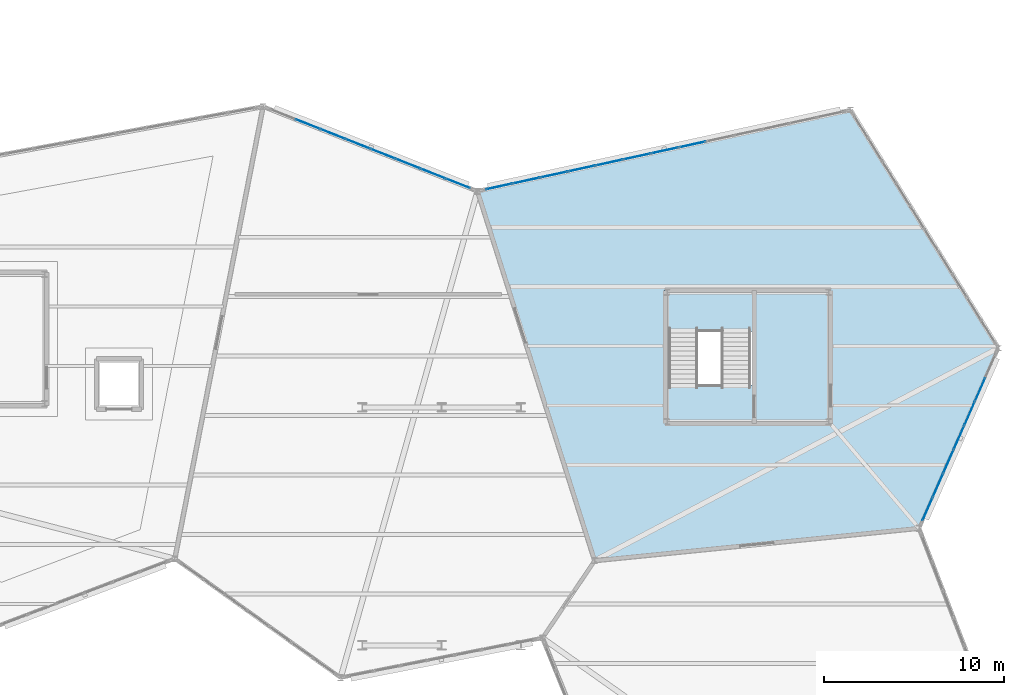
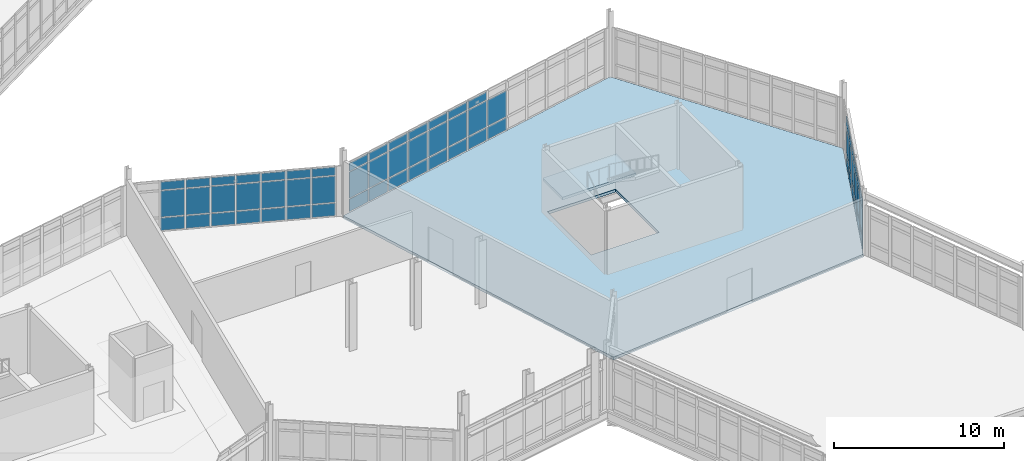
# One storey, part 98 of 134: 62 plates, 2 slabs, 4 elements without a shape of their own.
"""IFC4 building model written with IfcOpenShell, lengths in metres."""

import ifcopenshell
import ifcopenshell.guid

model = None  # the IFC model being written
_history = None  # IfcOwnerHistory: only IFC2X3 demands one
_inside = {}  # id of a spatial element -> (the spatial element, [elements in it])
_under = {}  # id of a project, library or spatial element -> (it, [spatial elements below it])
_declared = {}  # id of a project -> (the project, [libraries it declares])
_typed = {}  # id of a type object -> (the type object, [elements of that type])
_made_of = {}  # id of a material, layer set ... -> (it, [elements and type objects made of it])


def new_model(schema):
    """Start an empty IFC model of exactly this schema.

    Asked for "IFC4X3", IfcOpenShell would pick the latest addendum, in which some entities
    have other attributes; the version numbers below select the first issue.
    IFC2X3 requires an IfcOwnerHistory on every rooted entity: one is made here for all.
    """
    global model, _history
    if schema == "IFC4X3":
        model = ifcopenshell.file(schema_version=(4, 3, 0, 0))
    else:
        model = ifcopenshell.file(schema=schema)
    _inside.clear()
    _under.clear()
    _declared.clear()
    _typed.clear()
    _made_of.clear()
    _history = None
    if model.schema == "IFC2X3":
        org = make("IfcOrganization", Name="unknown")
        user = make(
            "IfcPersonAndOrganization",
            ThePerson=make("IfcPerson", FamilyName="unknown"),
            TheOrganization=org,
        )
        app = make(
            "IfcApplication",
            ApplicationDeveloper=org,
            Version="unknown",
            ApplicationFullName="unknown",
            ApplicationIdentifier="unknown",
        )
        _history = make(
            "IfcOwnerHistory",
            OwningUser=user,
            OwningApplication=app,
            ChangeAction="ADDED",
            CreationDate=0,
        )
    return model


def make(cls, **values):
    """One entity of the class cls with the attributes given. An attribute that is None is left unset."""
    return model.create_entity(
        cls, **{name: value for name, value in values.items() if value is not None}
    )


def rooted(cls, **values):
    """An entity with a GlobalId (a new one), such as an element, a storey or a relation."""
    return make(cls, GlobalId=ifcopenshell.guid.new(), OwnerHistory=_history, **values)


def si_unit(unit_type, name, prefix=None):
    """IfcSIUnit, for example si_unit("LENGTHUNIT", "METRE", prefix="MILLI")."""
    return make("IfcSIUnit", UnitType=unit_type, Prefix=prefix, Name=name)


def assignment(units):
    """IfcUnitAssignment: the units of a project."""
    return None if units is None else make("IfcUnitAssignment", Units=units)


def point(xyz):
    """IfcCartesianPoint."""
    return None if xyz is None else make("IfcCartesianPoint", Coordinates=xyz)


def direction(xyz):
    """IfcDirection."""
    return None if xyz is None else make("IfcDirection", DirectionRatios=xyz)


def frame(location, z_axis=None, x_axis=None):
    """IfcAxis2Placement3D, a coordinate frame: its origin and axes. An axis left out is left unset."""
    return make(
        "IfcAxis2Placement3D",
        Location=point(location),
        Axis=direction(z_axis),
        RefDirection=direction(x_axis),
    )


def frame_2d(location, x_axis=None):
    """IfcAxis2Placement2D, a coordinate frame in the plane: its origin and x axis."""
    return make(
        "IfcAxis2Placement2D", Location=point(location), RefDirection=direction(x_axis)
    )


def origin():
    """The frame at (0, 0, 0) with its axes left unset."""
    return frame((0.0, 0.0, 0.0))


def origin_2d():
    """The frame at (0, 0) in the plane with its x axis left unset."""
    return frame_2d((0.0, 0.0))


def place(relative_to, where):
    """IfcLocalPlacement: puts the frame where relative to a parent placement (None: the world)."""
    return make(
        "IfcLocalPlacement", PlacementRelTo=relative_to, RelativePlacement=where
    )


def context(
    kind, dimensions, precision=None, world=None, true_north=None, identifier=None
):
    """IfcGeometricRepresentationContext, for example the 3D "Model" context."""
    return make(
        "IfcGeometricRepresentationContext",
        ContextIdentifier=identifier,
        ContextType=kind,
        CoordinateSpaceDimension=dimensions,
        Precision=precision,
        WorldCoordinateSystem=world,
        TrueNorth=true_north,
    )


def subcontext(parent, identifier, kind, view, scale=None):
    """IfcGeometricRepresentationSubContext, for example "Body" below "Model"."""
    return make(
        "IfcGeometricRepresentationSubContext",
        ContextIdentifier=identifier,
        ContextType=kind,
        ParentContext=parent,
        TargetScale=scale,
        TargetView=view,
    )


def project(units=None, contexts=None):
    """IfcProject with its units and contexts."""
    return rooted(
        "IfcProject",
        Name="project",
        RepresentationContexts=contexts,
        UnitsInContext=assignment(units),
    )


def spatial(cls, under=None, at=None, **own):
    """A site, building, storey or space (cls), placed at a placement, below another one or the project."""
    s = rooted(cls, ObjectPlacement=at, **own)
    if under is not None:
        _under.setdefault(under.id(), (under, []))[1].append(s)
    return s


def polyline(points):
    """IfcPolyline through the points."""
    return make("IfcPolyline", Points=[point(p) for p in points])


def profile(cls, at=None, kind="AREA", **sizes):
    """A parametric profile (cls). Its sizes go by their IFC names, for example OverallWidth=200.0."""
    return make(cls, ProfileType=kind, Position=at, **sizes)


def rectangle(**sizes):
    """IfcRectangleProfileDef."""
    return profile("IfcRectangleProfileDef", **sizes)


def outline(outer, holes=None, kind="AREA"):
    """IfcArbitraryClosedProfileDef: a profile drawn as a closed curve; with holes, ...WithVoids."""
    if holes is None:
        return make("IfcArbitraryClosedProfileDef", ProfileType=kind, OuterCurve=outer)
    return make(
        "IfcArbitraryProfileDefWithVoids",
        ProfileType=kind,
        OuterCurve=outer,
        InnerCurves=holes,
    )


def extrude(swept, where, along, depth):
    """IfcExtrudedAreaSolid: the profile swept, set in the frame where, extruded along a direction by depth."""
    return make(
        "IfcExtrudedAreaSolid",
        SweptArea=swept,
        Position=where,
        ExtrudedDirection=direction(along),
        Depth=depth,
    )


def shape(context_of_items, identifier, shape_type, items):
    """IfcShapeRepresentation: the items that make up one representation, for example the "Body"."""
    return make(
        "IfcShapeRepresentation",
        ContextOfItems=context_of_items,
        RepresentationIdentifier=identifier,
        RepresentationType=shape_type,
        Items=items,
    )


def material(Name=None, Category=None):
    """IfcMaterial."""
    return make("IfcMaterial", Name=Name, Category=Category)


def layer(
    of_material, thickness, ventilated=None, Name=None, Category=None, Priority=None
):
    """IfcMaterialLayer: one layer of a wall or slab, of a material (None: an air gap)."""
    return make(
        "IfcMaterialLayer",
        Material=of_material,
        LayerThickness=thickness,
        IsVentilated=ventilated,
        Name=Name,
        Category=Category,
        Priority=Priority,
    )


def layer_set(layers, Name=None):
    """IfcMaterialLayerSet."""
    return make("IfcMaterialLayerSet", MaterialLayers=layers, LayerSetName=Name)


def made_of(thing, what):
    """Note that an element or type object is made of a material, layer set ...; save() writes the relation."""
    if what is not None:
        _made_of.setdefault(what.id(), (what, []))[1].append(thing)
    return thing


def type_object(cls, material=None, **own):
    """A type object (cls), such as IfcWallType, which elements share."""
    return made_of(rooted(cls, **own), material)


def element(
    cls,
    number,
    at=None,
    inside=None,
    cuts=None,
    type_object=None,
    material=None,
    context=None,
    identifier="Body",
    shape_type=None,
    held_by="IfcProductDefinitionShape",
    body=None,
    shapes=None,
    **own,
):
    """One element of the class cls, such as IfcWall. Its Tag is "e" and its number.

    at: its placement. inside: the storey or other place that contains it. cuts: it is an
    opening in that element (IfcRelVoidsElement). A single representation is given by context,
    identifier, shape_type and body (its items); several are given by shapes. held_by: the class
    of the entity that holds the representations. save() writes the other relations.
    """
    e = rooted(cls, Tag="e%d" % number, ObjectPlacement=at, **own)
    if body is not None:
        shapes = [shape(context, identifier, shape_type, body)]
    if shapes is not None:
        e.Representation = make(held_by, Representations=shapes)
    if inside is not None:
        _inside.setdefault(inside.id(), (inside, []))[1].append(e)
    if cuts is not None:
        rooted(
            "IfcRelVoidsElement", RelatingBuildingElement=cuts, RelatedOpeningElement=e
        )
    if type_object is not None:
        _typed.setdefault(type_object.id(), (type_object, []))[1].append(e)
    return made_of(e, material)


def aggregate(whole, parts):
    """IfcRelAggregates: a whole, such as a stair, and the parts it consists of."""
    return rooted("IfcRelAggregates", RelatingObject=whole, RelatedObjects=parts)


def save(model, path):
    """Write the relations noted so far, then the file.

    IfcRelAggregates (storeys below a building ...), IfcRelContainedInSpatialStructure (elements
    in a storey), IfcRelDefinesByType, IfcRelAssociatesMaterial and IfcRelDeclares: one each for
    every whole, place, type object, material and project.
    """
    for whole, parts in _under.values():
        aggregate(whole, parts)
    for where, things in _inside.values():
        rooted(
            "IfcRelContainedInSpatialStructure",
            RelatedElements=things,
            RelatingStructure=where,
        )
    for kind, things in _typed.values():
        rooted("IfcRelDefinesByType", RelatedObjects=things, RelatingType=kind)
    for what, things in _made_of.values():
        rooted("IfcRelAssociatesMaterial", RelatedObjects=things, RelatingMaterial=what)
    for by, libraries in _declared.values():
        rooted("IfcRelDeclares", RelatingContext=by, RelatedDefinitions=libraries)
    model.write(path)


model = new_model("IFC4")

# Units and contexts
model_context = context("Model", 3, precision=1e-05, world=origin(), true_north=direction((0.0, 1.0)))
body_context = subcontext(model_context, "Body", "Model", "MODEL_VIEW")
ifc_project = project(units=[si_unit("LENGTHUNIT", "METRE"), si_unit("AREAUNIT", "SQUARE_METRE"), si_unit("VOLUMEUNIT", "CUBIC_METRE"), si_unit("PLANEANGLEUNIT", "RADIAN"), si_unit("MASSUNIT", "GRAM", prefix="KILO")], contexts=[model_context])

# Site, building, storey
site_placement = place(None, origin())
site = spatial("IfcSite", under=ifc_project, at=site_placement, CompositionType="ELEMENT")
building_placement = place(site_placement, origin())
building = spatial("IfcBuilding", under=site, at=building_placement, Name="Tameran Prism Museum", CompositionType="ELEMENT")
storey_placement = place(building_placement, frame((0.0, 0.0, 5.39990234375)))
storey = spatial("IfcBuildingStorey", under=building, at=storey_placement, Name="L01", CompositionType="ELEMENT", Elevation=5.39990234375)

# Curtain wall, plates
ifc_material_1 = material(Name="Anodised Aluminium 6063-T6 and Cyclone Solar Glass", Category="aluminium")
curtain_wall_type_1 = type_object("IfcCurtainWallType", Name="CW-FAC-1016x362", PredefinedType="USERDEFINED", material=ifc_material_1)
curtain_wall_1_placement = place(storey_placement, origin())
curtain_wall_1 = element("IfcCurtainWall", 1, at=curtain_wall_1_placement, inside=storey, type_object=curtain_wall_type_1, Name="Unitised Curtain Wall CW-095", ObjectType="UNITISED CURTAIN WALL", PredefinedType="USERDEFINED")
ifc_material_2 = material(Name="Low-E Laminated Solar Glass", Category="glass")
ifc_layer_1 = layer(ifc_material_2, 0.028076171875)
ifc_layer_set_1 = layer_set([ifc_layer_1])
plate_type_1 = type_object("IfcPlateType", Name="CW-PNL-G28", PredefinedType="CURTAIN_PANEL", material=ifc_layer_set_1)
plate_1_placement = place(storey_placement, frame((165.3818359375, 31.68603515625, 0.06494140625), z_axis=(0.0, 0.0, 1.0), x_axis=(-0.402722131488, -0.915322284668, 0.0)))
plate_1 = element("IfcPlate", 2, at=plate_1_placement, type_object=plate_type_1, Name="CW-095 panel 2.1", PredefinedType="CURTAIN_PANEL", context=body_context, shape_type="SweptSolid", body=[
    extrude(rectangle(XDim=1.38720703125, YDim=0.028076171875, at=origin_2d()), origin(), (0.0, 0.0, 1.0), 0.902587890625),
])
plate_2_placement = place(storey_placement, frame((165.3818359375, 31.68603515625, 1.03271484375), z_axis=(0.0, 0.0, 1.0), x_axis=(-0.402722131488, -0.915322284668, 0.0)))
plate_2 = element("IfcPlate", 3, at=plate_2_placement, type_object=plate_type_1, Name="CW-095 panel 2.2", PredefinedType="CURTAIN_PANEL", context=body_context, shape_type="SweptSolid", body=[
    extrude(rectangle(XDim=1.38720703125, YDim=0.028076171875, at=origin_2d()), origin(), (0.0, 0.0, 1.0), 1.875),
])
plate_3_placement = place(storey_placement, frame((165.3818359375, 31.68603515625, 2.97265625), z_axis=(0.0, 0.0, 1.0), x_axis=(-0.402722131488, -0.915322284668, 0.0)))
plate_3 = element("IfcPlate", 4, at=plate_3_placement, type_object=plate_type_1, Name="CW-095 panel 2.3", PredefinedType="CURTAIN_PANEL", context=body_context, shape_type="SweptSolid", body=[
    extrude(rectangle(XDim=1.38720703125, YDim=0.028076171875, at=origin_2d()), origin(), (0.0, 0.0, 1.0), 0.58251953125),
])
plate_4_placement = place(storey_placement, frame((164.796875, 30.356689453125, 0.06494140625), z_axis=(0.0, 0.0, 1.0), x_axis=(-0.402722131488, -0.915322284668, 0.0)))
plate_4 = element("IfcPlate", 5, at=plate_4_placement, type_object=plate_type_1, Name="CW-095 panel 3.1", PredefinedType="CURTAIN_PANEL", context=body_context, shape_type="SweptSolid", body=[
    extrude(rectangle(XDim=1.38720703125, YDim=0.028076171875, at=origin_2d()), origin(), (0.0, 0.0, 1.0), 0.902587890625),
])
plate_5_placement = place(storey_placement, frame((164.796875, 30.356689453125, 1.03271484375), z_axis=(0.0, 0.0, 1.0), x_axis=(-0.402722131488, -0.915322284668, 0.0)))
plate_5 = element("IfcPlate", 6, at=plate_5_placement, type_object=plate_type_1, Name="CW-095 panel 3.2", PredefinedType="CURTAIN_PANEL", context=body_context, shape_type="SweptSolid", body=[
    extrude(rectangle(XDim=1.38720703125, YDim=0.028076171875, at=origin_2d()), origin(), (0.0, 0.0, 1.0), 1.875),
])
plate_6_placement = place(storey_placement, frame((164.796875, 30.356689453125, 2.97265625), z_axis=(0.0, 0.0, 1.0), x_axis=(-0.402722131488, -0.915322284668, 0.0)))
plate_6 = element("IfcPlate", 7, at=plate_6_placement, type_object=plate_type_1, Name="CW-095 panel 3.3", PredefinedType="CURTAIN_PANEL", context=body_context, shape_type="SweptSolid", body=[
    extrude(rectangle(XDim=1.38720703125, YDim=0.028076171875, at=origin_2d()), origin(), (0.0, 0.0, 1.0), 0.58251953125),
])
plate_7_placement = place(storey_placement, frame((164.2119140625, 29.027587890625, 0.06494140625), z_axis=(0.0, 0.0, 1.0), x_axis=(-0.402722131488, -0.915322284668, 0.0)))
plate_7 = element("IfcPlate", 8, at=plate_7_placement, type_object=plate_type_1, Name="CW-095 panel 4.1", PredefinedType="CURTAIN_PANEL", context=body_context, shape_type="SweptSolid", body=[
    extrude(rectangle(XDim=1.38720703125, YDim=0.028076171875, at=origin_2d()), origin(), (0.0, 0.0, 1.0), 0.902587890625),
])
plate_8_placement = place(storey_placement, frame((164.2119140625, 29.027587890625, 1.03271484375), z_axis=(0.0, 0.0, 1.0), x_axis=(-0.402722131488, -0.915322284668, 0.0)))
plate_8 = element("IfcPlate", 9, at=plate_8_placement, type_object=plate_type_1, Name="CW-095 panel 4.2", PredefinedType="CURTAIN_PANEL", context=body_context, shape_type="SweptSolid", body=[
    extrude(rectangle(XDim=1.38720703125, YDim=0.028076171875, at=origin_2d()), origin(), (0.0, 0.0, 1.0), 1.875),
])
plate_9_placement = place(storey_placement, frame((164.2119140625, 29.027587890625, 2.97265625), z_axis=(0.0, 0.0, 1.0), x_axis=(-0.402722131488, -0.915322284668, 0.0)))
plate_9 = element("IfcPlate", 10, at=plate_9_placement, type_object=plate_type_1, Name="CW-095 panel 4.3", PredefinedType="CURTAIN_PANEL", context=body_context, shape_type="SweptSolid", body=[
    extrude(rectangle(XDim=1.38720703125, YDim=0.028076171875, at=origin_2d()), origin(), (0.0, 0.0, 1.0), 0.58251953125),
])
plate_10_placement = place(storey_placement, frame((163.627197265625, 27.6982421875, 0.06494140625), z_axis=(0.0, 0.0, 1.0), x_axis=(-0.402722131488, -0.915322284668, 0.0)))
plate_10 = element("IfcPlate", 11, at=plate_10_placement, type_object=plate_type_1, Name="CW-095 panel 5.1", PredefinedType="CURTAIN_PANEL", context=body_context, shape_type="SweptSolid", body=[
    extrude(rectangle(XDim=1.38720703125, YDim=0.028076171875, at=origin_2d()), origin(), (0.0, 0.0, 1.0), 0.902587890625),
])
plate_11_placement = place(storey_placement, frame((163.627197265625, 27.6982421875, 1.03271484375), z_axis=(0.0, 0.0, 1.0), x_axis=(-0.402722131488, -0.915322284668, 0.0)))
plate_11 = element("IfcPlate", 12, at=plate_11_placement, type_object=plate_type_1, Name="CW-095 panel 5.2", PredefinedType="CURTAIN_PANEL", context=body_context, shape_type="SweptSolid", body=[
    extrude(rectangle(XDim=1.38720703125, YDim=0.028076171875, at=origin_2d()), origin(), (0.0, 0.0, 1.0), 1.875),
])
plate_12_placement = place(storey_placement, frame((163.627197265625, 27.6982421875, 2.97265625), z_axis=(0.0, 0.0, 1.0), x_axis=(-0.402722131488, -0.915322284668, 0.0)))
plate_12 = element("IfcPlate", 13, at=plate_12_placement, type_object=plate_type_1, Name="CW-095 panel 5.3", PredefinedType="CURTAIN_PANEL", context=body_context, shape_type="SweptSolid", body=[
    extrude(rectangle(XDim=1.38720703125, YDim=0.028076171875, at=origin_2d()), origin(), (0.0, 0.0, 1.0), 0.58251953125),
])
plate_13_placement = place(storey_placement, frame((163.042236328125, 26.368896484375, 0.06494140625), z_axis=(0.0, 0.0, 1.0), x_axis=(-0.402722131488, -0.915322284668, 0.0)))
plate_13 = element("IfcPlate", 14, at=plate_13_placement, type_object=plate_type_1, Name="CW-095 panel 6.1", PredefinedType="CURTAIN_PANEL", context=body_context, shape_type="SweptSolid", body=[
    extrude(rectangle(XDim=1.38720703125, YDim=0.028076171875, at=origin_2d()), origin(), (0.0, 0.0, 1.0), 0.902587890625),
])
plate_14_placement = place(storey_placement, frame((163.042236328125, 26.368896484375, 1.03271484375), z_axis=(0.0, 0.0, 1.0), x_axis=(-0.402722131488, -0.915322284668, 0.0)))
plate_14 = element("IfcPlate", 15, at=plate_14_placement, type_object=plate_type_1, Name="CW-095 panel 6.2", PredefinedType="CURTAIN_PANEL", context=body_context, shape_type="SweptSolid", body=[
    extrude(rectangle(XDim=1.38720703125, YDim=0.028076171875, at=origin_2d()), origin(), (0.0, 0.0, 1.0), 1.875),
])
plate_15_placement = place(storey_placement, frame((163.042236328125, 26.368896484375, 2.97265625), z_axis=(0.0, 0.0, 1.0), x_axis=(-0.402722131488, -0.915322284668, 0.0)))
plate_15 = element("IfcPlate", 16, at=plate_15_placement, type_object=plate_type_1, Name="CW-095 panel 6.3", PredefinedType="CURTAIN_PANEL", context=body_context, shape_type="SweptSolid", body=[
    extrude(rectangle(XDim=1.38720703125, YDim=0.028076171875, at=origin_2d()), origin(), (0.0, 0.0, 1.0), 0.58251953125),
])
plate_16_placement = place(storey_placement, frame((162.4638671875, 25.054443359375, 0.06494140625), z_axis=(0.0, 0.0, 1.0), x_axis=(-0.402722131488, -0.915322284668, 0.0)))
plate_16 = element("IfcPlate", 17, at=plate_16_placement, type_object=plate_type_1, Name="CW-095 panel 7.1", PredefinedType="CURTAIN_PANEL", context=body_context, shape_type="SweptSolid", body=[
    extrude(rectangle(XDim=1.354736328125, YDim=0.028076171875, at=origin_2d()), origin(), (0.0, 0.0, 1.0), 0.902587890625),
])
plate_17_placement = place(storey_placement, frame((162.4638671875, 25.054443359375, 1.03271484375), z_axis=(0.0, 0.0, 1.0), x_axis=(-0.402722131488, -0.915322284668, 0.0)))
plate_17 = element("IfcPlate", 18, at=plate_17_placement, type_object=plate_type_1, Name="CW-095 panel 7.2", PredefinedType="CURTAIN_PANEL", context=body_context, shape_type="SweptSolid", body=[
    extrude(rectangle(XDim=1.354736328125, YDim=0.028076171875, at=origin_2d()), origin(), (0.0, 0.0, 1.0), 1.875),
])
plate_18_placement = place(storey_placement, frame((162.4638671875, 25.054443359375, 2.97265625), z_axis=(0.0, 0.0, 1.0), x_axis=(-0.402722131488, -0.915322284668, 0.0)))
plate_18 = element("IfcPlate", 19, at=plate_18_placement, type_object=plate_type_1, Name="CW-095 panel 7.3", PredefinedType="CURTAIN_PANEL", context=body_context, shape_type="SweptSolid", body=[
    extrude(rectangle(XDim=1.354736328125, YDim=0.028076171875, at=origin_2d()), origin(), (0.0, 0.0, 1.0), 0.58251953125),
])
aggregate(curtain_wall_1, [plate_1, plate_2, plate_3, plate_4, plate_5, plate_6, plate_7, plate_8, plate_9, plate_10, plate_11, plate_12, plate_13, plate_14, plate_15, plate_16, plate_17, plate_18])

ifc_material_3 = material(Name="Anodised Aluminium 6063-T6 and Cyclone Solar Glass", Category="aluminium")
curtain_wall_type_2 = type_object("IfcCurtainWallType", Name="CW-FAC-1197x362", PredefinedType="USERDEFINED", material=ifc_material_3)
curtain_wall_2_placement = place(storey_placement, origin())
curtain_wall_2 = element("IfcCurtainWall", 20, at=curtain_wall_2_placement, inside=storey, type_object=curtain_wall_type_2, Name="Unitised Curtain Wall CW-075", ObjectType="UNITISED CURTAIN WALL", PredefinedType="USERDEFINED")
ifc_material_4 = material(Name="Cyclone Laminated Solar Glass", Category="glass")
ifc_layer_2 = layer(ifc_material_4, 0.031982421875)
ifc_layer_set_2 = layer_set([ifc_layer_2])
plate_type_2 = type_object("IfcPlateType", Name="CW-PNL-G32", PredefinedType="CURTAIN_PANEL", material=ifc_layer_set_2)
plate_19_placement = place(storey_placement, frame((128.07080078125, 46.42431640625, 0.06494140625), z_axis=(0.0, 0.0, 1.0), x_axis=(0.930080883146, -0.367354802346, 0.0)))
plate_19 = element("IfcPlate", 21, at=plate_19_placement, type_object=plate_type_2, Name="CW-075 panel 2.1", PredefinedType="CURTAIN_PANEL", context=body_context, shape_type="SweptSolid", body=[
    extrude(rectangle(XDim=1.431396484375, YDim=0.031982421875, at=origin_2d()), origin(), (0.0, 0.0, 1.0), 0.902587890625),
])
plate_20_placement = place(storey_placement, frame((128.07080078125, 46.42431640625, 1.03271484375), z_axis=(0.0, 0.0, 1.0), x_axis=(0.930080883146, -0.367354802346, 0.0)))
plate_20 = element("IfcPlate", 22, at=plate_20_placement, type_object=plate_type_2, Name="CW-075 panel 2.2", PredefinedType="CURTAIN_PANEL", context=body_context, shape_type="SweptSolid", body=[
    extrude(rectangle(XDim=1.431396484375, YDim=0.031982421875, at=origin_2d()), origin(), (0.0, 0.0, 1.0), 1.875),
])
plate_21_placement = place(storey_placement, frame((128.07080078125, 46.42431640625, 2.97265625), z_axis=(0.0, 0.0, 1.0), x_axis=(0.930080883146, -0.367354802346, 0.0)))
plate_21 = element("IfcPlate", 23, at=plate_21_placement, type_object=plate_type_2, Name="CW-075 panel 2.3", PredefinedType="CURTAIN_PANEL", context=body_context, shape_type="SweptSolid", body=[
    extrude(rectangle(XDim=1.431396484375, YDim=0.031982421875, at=origin_2d()), origin(), (0.0, 0.0, 1.0), 0.58251953125),
])
plate_22_placement = place(storey_placement, frame((129.462646484375, 45.87451171875, 0.06494140625), z_axis=(0.0, 0.0, 1.0), x_axis=(0.930080883146, -0.367354802346, 0.0)))
plate_22 = element("IfcPlate", 24, at=plate_22_placement, type_object=plate_type_2, Name="CW-075 panel 3.1", PredefinedType="CURTAIN_PANEL", context=body_context, shape_type="SweptSolid", body=[
    extrude(rectangle(XDim=1.431396484375, YDim=0.031982421875, at=origin_2d()), origin(), (0.0, 0.0, 1.0), 0.902587890625),
])
plate_23_placement = place(storey_placement, frame((129.462646484375, 45.87451171875, 1.03271484375), z_axis=(0.0, 0.0, 1.0), x_axis=(0.930080883146, -0.367354802346, 0.0)))
plate_23 = element("IfcPlate", 25, at=plate_23_placement, type_object=plate_type_2, Name="CW-075 panel 3.2", PredefinedType="CURTAIN_PANEL", context=body_context, shape_type="SweptSolid", body=[
    extrude(rectangle(XDim=1.431396484375, YDim=0.031982421875, at=origin_2d()), origin(), (0.0, 0.0, 1.0), 1.875),
])
plate_24_placement = place(storey_placement, frame((129.462646484375, 45.87451171875, 2.97265625), z_axis=(0.0, 0.0, 1.0), x_axis=(0.930080883146, -0.367354802346, 0.0)))
plate_24 = element("IfcPlate", 26, at=plate_24_placement, type_object=plate_type_2, Name="CW-075 panel 3.3", PredefinedType="CURTAIN_PANEL", context=body_context, shape_type="SweptSolid", body=[
    extrude(rectangle(XDim=1.431396484375, YDim=0.031982421875, at=origin_2d()), origin(), (0.0, 0.0, 1.0), 0.58251953125),
])
plate_25_placement = place(storey_placement, frame((130.8544921875, 45.324951171875, 0.06494140625), z_axis=(0.0, 0.0, 1.0), x_axis=(0.930080883146, -0.367354802346, 0.0)))
plate_25 = element("IfcPlate", 27, at=plate_25_placement, type_object=plate_type_2, Name="CW-075 panel 4.1", PredefinedType="CURTAIN_PANEL", context=body_context, shape_type="SweptSolid", body=[
    extrude(rectangle(XDim=1.431396484375, YDim=0.031982421875, at=origin_2d()), origin(), (0.0, 0.0, 1.0), 0.902587890625),
])
plate_26_placement = place(storey_placement, frame((130.8544921875, 45.324951171875, 1.03271484375), z_axis=(0.0, 0.0, 1.0), x_axis=(0.930080883146, -0.367354802346, 0.0)))
plate_26 = element("IfcPlate", 28, at=plate_26_placement, type_object=plate_type_2, Name="CW-075 panel 4.2", PredefinedType="CURTAIN_PANEL", context=body_context, shape_type="SweptSolid", body=[
    extrude(rectangle(XDim=1.431396484375, YDim=0.031982421875, at=origin_2d()), origin(), (0.0, 0.0, 1.0), 1.875),
])
plate_27_placement = place(storey_placement, frame((130.8544921875, 45.324951171875, 2.97265625), z_axis=(0.0, 0.0, 1.0), x_axis=(0.930080883146, -0.367354802346, 0.0)))
plate_27 = element("IfcPlate", 29, at=plate_27_placement, type_object=plate_type_2, Name="CW-075 panel 4.3", PredefinedType="CURTAIN_PANEL", context=body_context, shape_type="SweptSolid", body=[
    extrude(rectangle(XDim=1.431396484375, YDim=0.031982421875, at=origin_2d()), origin(), (0.0, 0.0, 1.0), 0.58251953125),
])
plate_28_placement = place(storey_placement, frame((132.246337890625, 44.775146484375, 0.06494140625), z_axis=(0.0, 0.0, 1.0), x_axis=(0.930080883146, -0.367354802346, 0.0)))
plate_28 = element("IfcPlate", 30, at=plate_28_placement, type_object=plate_type_2, Name="CW-075 panel 5.1", PredefinedType="CURTAIN_PANEL", context=body_context, shape_type="SweptSolid", body=[
    extrude(rectangle(XDim=1.431396484375, YDim=0.031982421875, at=origin_2d()), origin(), (0.0, 0.0, 1.0), 0.902587890625),
])
plate_29_placement = place(storey_placement, frame((132.246337890625, 44.775146484375, 1.03271484375), z_axis=(0.0, 0.0, 1.0), x_axis=(0.930080883146, -0.367354802346, 0.0)))
plate_29 = element("IfcPlate", 31, at=plate_29_placement, type_object=plate_type_2, Name="CW-075 panel 5.2", PredefinedType="CURTAIN_PANEL", context=body_context, shape_type="SweptSolid", body=[
    extrude(rectangle(XDim=1.431396484375, YDim=0.031982421875, at=origin_2d()), origin(), (0.0, 0.0, 1.0), 1.875),
])
plate_30_placement = place(storey_placement, frame((132.246337890625, 44.775146484375, 2.97265625), z_axis=(0.0, 0.0, 1.0), x_axis=(0.930080883146, -0.367354802346, 0.0)))
plate_30 = element("IfcPlate", 32, at=plate_30_placement, type_object=plate_type_2, Name="CW-075 panel 5.3", PredefinedType="CURTAIN_PANEL", context=body_context, shape_type="SweptSolid", body=[
    extrude(rectangle(XDim=1.431396484375, YDim=0.031982421875, at=origin_2d()), origin(), (0.0, 0.0, 1.0), 0.58251953125),
])
plate_31_placement = place(storey_placement, frame((133.638427734375, 44.225341796875, 0.06494140625), z_axis=(0.0, 0.0, 1.0), x_axis=(0.930080883146, -0.367354802346, 0.0)))
plate_31 = element("IfcPlate", 33, at=plate_31_placement, type_object=plate_type_2, Name="CW-075 panel 6.1", PredefinedType="CURTAIN_PANEL", context=body_context, shape_type="SweptSolid", body=[
    extrude(rectangle(XDim=1.431396484375, YDim=0.031982421875, at=origin_2d()), origin(), (0.0, 0.0, 1.0), 0.902587890625),
])
plate_32_placement = place(storey_placement, frame((133.638427734375, 44.225341796875, 1.03271484375), z_axis=(0.0, 0.0, 1.0), x_axis=(0.930080883146, -0.367354802346, 0.0)))
plate_32 = element("IfcPlate", 34, at=plate_32_placement, type_object=plate_type_2, Name="CW-075 panel 6.2", PredefinedType="CURTAIN_PANEL", context=body_context, shape_type="SweptSolid", body=[
    extrude(rectangle(XDim=1.431396484375, YDim=0.031982421875, at=origin_2d()), origin(), (0.0, 0.0, 1.0), 1.875),
])
plate_33_placement = place(storey_placement, frame((133.638427734375, 44.225341796875, 2.97265625), z_axis=(0.0, 0.0, 1.0), x_axis=(0.930080883146, -0.367354802346, 0.0)))
plate_33 = element("IfcPlate", 35, at=plate_33_placement, type_object=plate_type_2, Name="CW-075 panel 6.3", PredefinedType="CURTAIN_PANEL", context=body_context, shape_type="SweptSolid", body=[
    extrude(rectangle(XDim=1.431396484375, YDim=0.031982421875, at=origin_2d()), origin(), (0.0, 0.0, 1.0), 0.58251953125),
])
plate_34_placement = place(storey_placement, frame((135.0302734375, 43.675537109375, 0.06494140625), z_axis=(0.0, 0.0, 1.0), x_axis=(0.930080883146, -0.367354802346, 0.0)))
plate_34 = element("IfcPlate", 36, at=plate_34_placement, type_object=plate_type_2, Name="CW-075 panel 7.1", PredefinedType="CURTAIN_PANEL", context=body_context, shape_type="SweptSolid", body=[
    extrude(rectangle(XDim=1.431396484375, YDim=0.031982421875, at=origin_2d()), origin(), (0.0, 0.0, 1.0), 0.902587890625),
])
plate_35_placement = place(storey_placement, frame((135.0302734375, 43.675537109375, 1.03271484375), z_axis=(0.0, 0.0, 1.0), x_axis=(0.930080883146, -0.367354802346, 0.0)))
plate_35 = element("IfcPlate", 37, at=plate_35_placement, type_object=plate_type_2, Name="CW-075 panel 7.2", PredefinedType="CURTAIN_PANEL", context=body_context, shape_type="SweptSolid", body=[
    extrude(rectangle(XDim=1.431396484375, YDim=0.031982421875, at=origin_2d()), origin(), (0.0, 0.0, 1.0), 1.875),
])
plate_36_placement = place(storey_placement, frame((135.0302734375, 43.675537109375, 2.97265625), z_axis=(0.0, 0.0, 1.0), x_axis=(0.930080883146, -0.367354802346, 0.0)))
plate_36 = element("IfcPlate", 38, at=plate_36_placement, type_object=plate_type_2, Name="CW-075 panel 7.3", PredefinedType="CURTAIN_PANEL", context=body_context, shape_type="SweptSolid", body=[
    extrude(rectangle(XDim=1.431396484375, YDim=0.031982421875, at=origin_2d()), origin(), (0.0, 0.0, 1.0), 0.58251953125),
])
plate_37_placement = place(storey_placement, frame((136.406982421875, 43.1318359375, 0.06494140625), z_axis=(0.0, 0.0, 1.0), x_axis=(0.930080883146, -0.367354802346, 0.0)))
plate_37 = element("IfcPlate", 39, at=plate_37_placement, type_object=plate_type_2, Name="CW-075 panel 8.1", PredefinedType="CURTAIN_PANEL", context=body_context, shape_type="SweptSolid", body=[
    extrude(rectangle(XDim=1.39892578125, YDim=0.031982421875, at=origin_2d()), origin(), (0.0, 0.0, 1.0), 0.902587890625),
])
plate_38_placement = place(storey_placement, frame((136.406982421875, 43.1318359375, 1.03271484375), z_axis=(0.0, 0.0, 1.0), x_axis=(0.930080883146, -0.367354802346, 0.0)))
plate_38 = element("IfcPlate", 40, at=plate_38_placement, type_object=plate_type_2, Name="CW-075 panel 8.2", PredefinedType="CURTAIN_PANEL", context=body_context, shape_type="SweptSolid", body=[
    extrude(rectangle(XDim=1.39892578125, YDim=0.031982421875, at=origin_2d()), origin(), (0.0, 0.0, 1.0), 1.875),
])
plate_39_placement = place(storey_placement, frame((136.406982421875, 43.1318359375, 2.97265625), z_axis=(0.0, 0.0, 1.0), x_axis=(0.930080883146, -0.367354802346, 0.0)))
plate_39 = element("IfcPlate", 41, at=plate_39_placement, type_object=plate_type_2, Name="CW-075 panel 8.3", PredefinedType="CURTAIN_PANEL", context=body_context, shape_type="SweptSolid", body=[
    extrude(rectangle(XDim=1.39892578125, YDim=0.031982421875, at=origin_2d()), origin(), (0.0, 0.0, 1.0), 0.58251953125),
])
aggregate(curtain_wall_2, [plate_19, plate_20, plate_21, plate_22, plate_23, plate_24, plate_25, plate_26, plate_27, plate_28, plate_29, plate_30, plate_31, plate_32, plate_33, plate_34, plate_35, plate_36, plate_37, plate_38, plate_39])

ifc_material_5 = material(Name="Anodised Aluminium 6063-T6 and Cyclone Solar Glass", Category="aluminium")
curtain_wall_type_3 = type_object("IfcCurtainWallType", Name="CW-FAC-2042x362", PredefinedType="USERDEFINED", material=ifc_material_5)
curtain_wall_3_placement = place(storey_placement, origin())
curtain_wall_3 = element("IfcCurtainWall", 42, at=curtain_wall_3_placement, inside=storey, type_object=curtain_wall_type_3, Name="Unitised Curtain Wall CW-097", ObjectType="UNITISED CURTAIN WALL", PredefinedType="USERDEFINED")
plate_40_placement = place(storey_placement, frame((138.68701171875, 42.957763671875, 0.0751953125), z_axis=(0.0, 0.0, 1.0), x_axis=(0.977171060676, 0.212454037801, 0.0)))
plate_40 = element("IfcPlate", 43, at=plate_40_placement, type_object=plate_type_2, Name="CW-097 panel 1.1", PredefinedType="CURTAIN_PANEL", context=body_context, shape_type="SweptSolid", body=[
    extrude(rectangle(XDim=1.45849609375, YDim=0.031982421875, at=origin_2d()), origin(), (0.0, 0.0, 1.0), 0.887451171875),
])
plate_41_placement = place(storey_placement, frame((138.68701171875, 42.957763671875, 1.03759765625), z_axis=(0.0, 0.0, 1.0), x_axis=(0.977171060676, 0.212454037801, 0.0)))
plate_41 = element("IfcPlate", 44, at=plate_41_placement, type_object=plate_type_2, Name="CW-097 panel 1.2", PredefinedType="CURTAIN_PANEL", context=body_context, shape_type="SweptSolid", body=[
    extrude(rectangle(XDim=1.45849609375, YDim=0.031982421875, at=origin_2d()), origin(), (0.0, 0.0, 1.0), 1.864990234375),
])
plate_42_placement = place(storey_placement, frame((138.68701171875, 42.957763671875, 2.9775390625), z_axis=(0.0, 0.0, 1.0), x_axis=(0.977171060676, 0.212454037801, 0.0)))
plate_42 = element("IfcPlate", 45, at=plate_42_placement, type_object=plate_type_2, Name="CW-097 panel 1.3", PredefinedType="CURTAIN_PANEL", context=body_context, shape_type="SweptSolid", body=[
    extrude(rectangle(XDim=1.45849609375, YDim=0.031982421875, at=origin_2d()), origin(), (0.0, 0.0, 1.0), 0.5673828125),
])
plate_43_placement = place(storey_placement, frame((140.20361328125, 43.28759765625, 0.0751953125), z_axis=(0.0, 0.0, 1.0), x_axis=(0.977171060676, 0.212454037801, 0.0)))
plate_43 = element("IfcPlate", 46, at=plate_43_placement, type_object=plate_type_2, Name="CW-097 panel 2.1", PredefinedType="CURTAIN_PANEL", context=body_context, shape_type="SweptSolid", body=[
    extrude(rectangle(XDim=1.49609375, YDim=0.031982421875, at=origin_2d()), origin(), (0.0, 0.0, 1.0), 0.887451171875),
])
plate_44_placement = place(storey_placement, frame((140.20361328125, 43.28759765625, 1.03759765625), z_axis=(0.0, 0.0, 1.0), x_axis=(0.977171060676, 0.212454037801, 0.0)))
plate_44 = element("IfcPlate", 47, at=plate_44_placement, type_object=plate_type_2, Name="CW-097 panel 2.2", PredefinedType="CURTAIN_PANEL", context=body_context, shape_type="SweptSolid", body=[
    extrude(rectangle(XDim=1.49609375, YDim=0.031982421875, at=origin_2d()), origin(), (0.0, 0.0, 1.0), 1.864990234375),
])
plate_45_placement = place(storey_placement, frame((140.20361328125, 43.28759765625, 2.9775390625), z_axis=(0.0, 0.0, 1.0), x_axis=(0.977171060676, 0.212454037801, 0.0)))
plate_45 = element("IfcPlate", 48, at=plate_45_placement, type_object=plate_type_2, Name="CW-097 panel 2.3", PredefinedType="CURTAIN_PANEL", context=body_context, shape_type="SweptSolid", body=[
    extrude(rectangle(XDim=1.49609375, YDim=0.031982421875, at=origin_2d()), origin(), (0.0, 0.0, 1.0), 0.5673828125),
])
plate_46_placement = place(storey_placement, frame((141.73876953125, 43.621337890625, 0.0751953125), z_axis=(0.0, 0.0, 1.0), x_axis=(0.977171060676, 0.212454037801, 0.0)))
plate_46 = element("IfcPlate", 49, at=plate_46_placement, type_object=plate_type_2, Name="CW-097 panel 3.1", PredefinedType="CURTAIN_PANEL", context=body_context, shape_type="SweptSolid", body=[
    extrude(rectangle(XDim=1.49609375, YDim=0.031982421875, at=origin_2d()), origin(), (0.0, 0.0, 1.0), 0.887451171875),
])
plate_47_placement = place(storey_placement, frame((141.73876953125, 43.621337890625, 1.03759765625), z_axis=(0.0, 0.0, 1.0), x_axis=(0.977171060676, 0.212454037801, 0.0)))
plate_47 = element("IfcPlate", 50, at=plate_47_placement, type_object=plate_type_2, Name="CW-097 panel 3.2", PredefinedType="CURTAIN_PANEL", context=body_context, shape_type="SweptSolid", body=[
    extrude(rectangle(XDim=1.49609375, YDim=0.031982421875, at=origin_2d()), origin(), (0.0, 0.0, 1.0), 1.864990234375),
])
plate_48_placement = place(storey_placement, frame((141.73876953125, 43.621337890625, 2.9775390625), z_axis=(0.0, 0.0, 1.0), x_axis=(0.977171060676, 0.212454037801, 0.0)))
plate_48 = element("IfcPlate", 51, at=plate_48_placement, type_object=plate_type_2, Name="CW-097 panel 3.3", PredefinedType="CURTAIN_PANEL", context=body_context, shape_type="SweptSolid", body=[
    extrude(rectangle(XDim=1.49609375, YDim=0.031982421875, at=origin_2d()), origin(), (0.0, 0.0, 1.0), 0.5673828125),
])
plate_49_placement = place(storey_placement, frame((143.27392578125, 43.955078125, 0.0751953125), z_axis=(0.0, 0.0, 1.0), x_axis=(0.977171060676, 0.212454037801, 0.0)))
plate_49 = element("IfcPlate", 52, at=plate_49_placement, type_object=plate_type_2, Name="CW-097 panel 4.1", PredefinedType="CURTAIN_PANEL", context=body_context, shape_type="SweptSolid", body=[
    extrude(rectangle(XDim=1.49609375, YDim=0.031982421875, at=origin_2d()), origin(), (0.0, 0.0, 1.0), 0.887451171875),
])
plate_50_placement = place(storey_placement, frame((143.27392578125, 43.955078125, 1.03759765625), z_axis=(0.0, 0.0, 1.0), x_axis=(0.977171060676, 0.212454037801, 0.0)))
plate_50 = element("IfcPlate", 53, at=plate_50_placement, type_object=plate_type_2, Name="CW-097 panel 4.2", PredefinedType="CURTAIN_PANEL", context=body_context, shape_type="SweptSolid", body=[
    extrude(rectangle(XDim=1.49609375, YDim=0.031982421875, at=origin_2d()), origin(), (0.0, 0.0, 1.0), 1.864990234375),
])
plate_51_placement = place(storey_placement, frame((143.27392578125, 43.955078125, 2.9775390625), z_axis=(0.0, 0.0, 1.0), x_axis=(0.977171060676, 0.212454037801, 0.0)))
plate_51 = element("IfcPlate", 54, at=plate_51_placement, type_object=plate_type_2, Name="CW-097 panel 4.3", PredefinedType="CURTAIN_PANEL", context=body_context, shape_type="SweptSolid", body=[
    extrude(rectangle(XDim=1.49609375, YDim=0.031982421875, at=origin_2d()), origin(), (0.0, 0.0, 1.0), 0.5673828125),
])
plate_52_placement = place(storey_placement, frame((144.80908203125, 44.2890625, 0.0751953125), z_axis=(0.0, 0.0, 1.0), x_axis=(0.977171060676, 0.212454037801, 0.0)))
plate_52 = element("IfcPlate", 55, at=plate_52_placement, type_object=plate_type_2, Name="CW-097 panel 5.1", PredefinedType="CURTAIN_PANEL", context=body_context, shape_type="SweptSolid", body=[
    extrude(rectangle(XDim=1.49609375, YDim=0.031982421875, at=origin_2d()), origin(), (0.0, 0.0, 1.0), 0.887451171875),
])
plate_53_placement = place(storey_placement, frame((144.80908203125, 44.2890625, 1.03759765625), z_axis=(0.0, 0.0, 1.0), x_axis=(0.977171060676, 0.212454037801, 0.0)))
plate_53 = element("IfcPlate", 56, at=plate_53_placement, type_object=plate_type_2, Name="CW-097 panel 5.2", PredefinedType="CURTAIN_PANEL", context=body_context, shape_type="SweptSolid", body=[
    extrude(rectangle(XDim=1.49609375, YDim=0.031982421875, at=origin_2d()), origin(), (0.0, 0.0, 1.0), 1.864990234375),
])
plate_54_placement = place(storey_placement, frame((144.80908203125, 44.2890625, 2.9775390625), z_axis=(0.0, 0.0, 1.0), x_axis=(0.977171060676, 0.212454037801, 0.0)))
plate_54 = element("IfcPlate", 57, at=plate_54_placement, type_object=plate_type_2, Name="CW-097 panel 5.3", PredefinedType="CURTAIN_PANEL", context=body_context, shape_type="SweptSolid", body=[
    extrude(rectangle(XDim=1.49609375, YDim=0.031982421875, at=origin_2d()), origin(), (0.0, 0.0, 1.0), 0.5673828125),
])
plate_55_placement = place(storey_placement, frame((146.34423828125, 44.622802734375, 0.0751953125), z_axis=(0.0, 0.0, 1.0), x_axis=(0.977171060676, 0.212454037801, 0.0)))
plate_55 = element("IfcPlate", 58, at=plate_55_placement, type_object=plate_type_2, Name="CW-097 panel 6.1", PredefinedType="CURTAIN_PANEL", context=body_context, shape_type="SweptSolid", body=[
    extrude(rectangle(XDim=1.49609375, YDim=0.031982421875, at=origin_2d()), origin(), (0.0, 0.0, 1.0), 0.887451171875),
])
plate_56_placement = place(storey_placement, frame((146.34423828125, 44.622802734375, 1.03759765625), z_axis=(0.0, 0.0, 1.0), x_axis=(0.977171060676, 0.212454037801, 0.0)))
plate_56 = element("IfcPlate", 59, at=plate_56_placement, type_object=plate_type_2, Name="CW-097 panel 6.2", PredefinedType="CURTAIN_PANEL", context=body_context, shape_type="SweptSolid", body=[
    extrude(rectangle(XDim=1.49609375, YDim=0.031982421875, at=origin_2d()), origin(), (0.0, 0.0, 1.0), 1.864990234375),
])
plate_57_placement = place(storey_placement, frame((146.34423828125, 44.622802734375, 2.9775390625), z_axis=(0.0, 0.0, 1.0), x_axis=(0.977171060676, 0.212454037801, 0.0)))
plate_57 = element("IfcPlate", 60, at=plate_57_placement, type_object=plate_type_2, Name="CW-097 panel 6.3", PredefinedType="CURTAIN_PANEL", context=body_context, shape_type="SweptSolid", body=[
    extrude(rectangle(XDim=1.49609375, YDim=0.031982421875, at=origin_2d()), origin(), (0.0, 0.0, 1.0), 0.5673828125),
])
plate_58_placement = place(storey_placement, frame((147.87939453125, 44.95654296875, 0.0751953125), z_axis=(0.0, 0.0, 1.0), x_axis=(0.977171060676, 0.212454037801, 0.0)))
plate_58 = element("IfcPlate", 61, at=plate_58_placement, type_object=plate_type_2, Name="CW-097 panel 7.1", PredefinedType="CURTAIN_PANEL", context=body_context, shape_type="SweptSolid", body=[
    extrude(rectangle(XDim=1.49609375, YDim=0.031982421875, at=origin_2d()), origin(), (0.0, 0.0, 1.0), 0.887451171875),
])
plate_59_placement = place(storey_placement, frame((147.87939453125, 44.95654296875, 1.03759765625), z_axis=(0.0, 0.0, 1.0), x_axis=(0.977171060676, 0.212454037801, 0.0)))
plate_59 = element("IfcPlate", 62, at=plate_59_placement, type_object=plate_type_2, Name="CW-097 panel 7.2", PredefinedType="CURTAIN_PANEL", context=body_context, shape_type="SweptSolid", body=[
    extrude(rectangle(XDim=1.49609375, YDim=0.031982421875, at=origin_2d()), origin(), (0.0, 0.0, 1.0), 1.864990234375),
])
plate_60_placement = place(storey_placement, frame((147.87939453125, 44.95654296875, 2.9775390625), z_axis=(0.0, 0.0, 1.0), x_axis=(0.977171060676, 0.212454037801, 0.0)))
plate_60 = element("IfcPlate", 63, at=plate_60_placement, type_object=plate_type_2, Name="CW-097 panel 7.3", PredefinedType="CURTAIN_PANEL", context=body_context, shape_type="SweptSolid", body=[
    extrude(rectangle(XDim=1.49609375, YDim=0.031982421875, at=origin_2d()), origin(), (0.0, 0.0, 1.0), 0.5673828125),
])
plate_61_placement = place(storey_placement, frame((149.41455078125, 45.290283203125, 0.0751953125), z_axis=(0.0, 0.0, 1.0), x_axis=(0.977171060676, 0.212454037801, 0.0)))
plate_61 = element("IfcPlate", 64, at=plate_61_placement, type_object=plate_type_2, Name="CW-097 panel 8.1", PredefinedType="CURTAIN_PANEL", context=body_context, shape_type="SweptSolid", body=[
    extrude(rectangle(XDim=1.49609375, YDim=0.031982421875, at=origin_2d()), origin(), (0.0, 0.0, 1.0), 0.887451171875),
])
plate_62_placement = place(storey_placement, frame((149.41455078125, 45.290283203125, 1.03759765625), z_axis=(0.0, 0.0, 1.0), x_axis=(0.977171060676, 0.212454037801, 0.0)))
plate_62 = element("IfcPlate", 65, at=plate_62_placement, type_object=plate_type_2, Name="CW-097 panel 8.2", PredefinedType="CURTAIN_PANEL", context=body_context, shape_type="SweptSolid", body=[
    extrude(rectangle(XDim=1.49609375, YDim=0.031982421875, at=origin_2d()), origin(), (0.0, 0.0, 1.0), 1.864990234375),
])
aggregate(curtain_wall_3, [plate_40, plate_41, plate_42, plate_43, plate_44, plate_45, plate_46, plate_47, plate_48, plate_49, plate_50, plate_51, plate_52, plate_53, plate_54, plate_55, plate_56, plate_57, plate_58, plate_59, plate_60, plate_61, plate_62])

# Slab
ifc_material_6 = material(Name="Concrete N32 (32 MPa)", Category="concrete")
ifc_layer_3 = layer(ifc_material_6, 0.199951171875)
ifc_layer_set_3 = layer_set([ifc_layer_3])
slab_type_1 = type_object("IfcSlabType", Name="SL-FLR-200", PredefinedType="FLOOR", material=ifc_layer_set_3)
slab_1_placement = place(storey_placement, frame((0.0, 0.0, -0.199951171875)))
element("IfcSlab", 66, at=slab_1_placement, inside=storey, type_object=slab_type_1, Name="Floor Slab FS-P19-L01", PredefinedType="FLOOR", context=body_context, shape_type="SweptSolid", body=[
    extrude(outline(polyline([(137.5, 42.699951171875), (158.199951171875, 47.199951171875), (166.39990234375, 34.0), (162.0, 24.0), (144.0, 22.199951171875), (137.5, 42.699951171875)]), holes=[polyline([(152.719970703125, 37.050048828125), (148.10009765625, 37.050048828125), (148.10009765625, 31.93994140625), (152.719970703125, 31.93994140625), (152.719970703125, 37.050048828125)])]), origin(), (0.0, 0.0, 1.0), 0.199951171875),
])

# Stair, slab
ifc_material_7 = material(Name="Concrete N40 (40 MPa)", Category="concrete")
stair_type = type_object("IfcStairType", Name="ST-CORE-48", PredefinedType="HALF_TURN_STAIR", material=ifc_material_7)
stair_placement = place(storey_placement, origin())
stair = element("IfcStair", 67, at=stair_placement, inside=storey, type_object=stair_type, Name="Fire-Isolated Stair ST-13-L01", PredefinedType="HALF_TURN_STAIR")
ifc_material_8 = material(Name="Concrete N40 (40 MPa)", Category="concrete")
ifc_layer_4 = layer(ifc_material_8, 0.18505859375)
ifc_layer_set_4 = layer_set([ifc_layer_4])
slab_type_2 = type_object("IfcSlabType", Name="SL-LND-185", PredefinedType="LANDING", material=ifc_layer_set_4)
slab_2_placement = place(storey_placement, frame((0.0, 0.0, 2.215087890625)))
slab_2 = element("IfcSlab", 68, at=slab_2_placement, type_object=slab_type_2, Name="ST-13-L01 landing 1", PredefinedType="LANDING", context=body_context, shape_type="SweptSolid", body=[
    extrude(outline(polyline([(147.8798828125, 34.9150390625), (152.8701171875, 34.9150390625), (152.8701171875, 37.219970703125), (147.8798828125, 37.219970703125), (147.8798828125, 34.9150390625)])), origin(), (0.0, 0.0, 1.0), 0.18505859375),
])
aggregate(stair, [slab_2])

save(model, "model.ifc")
